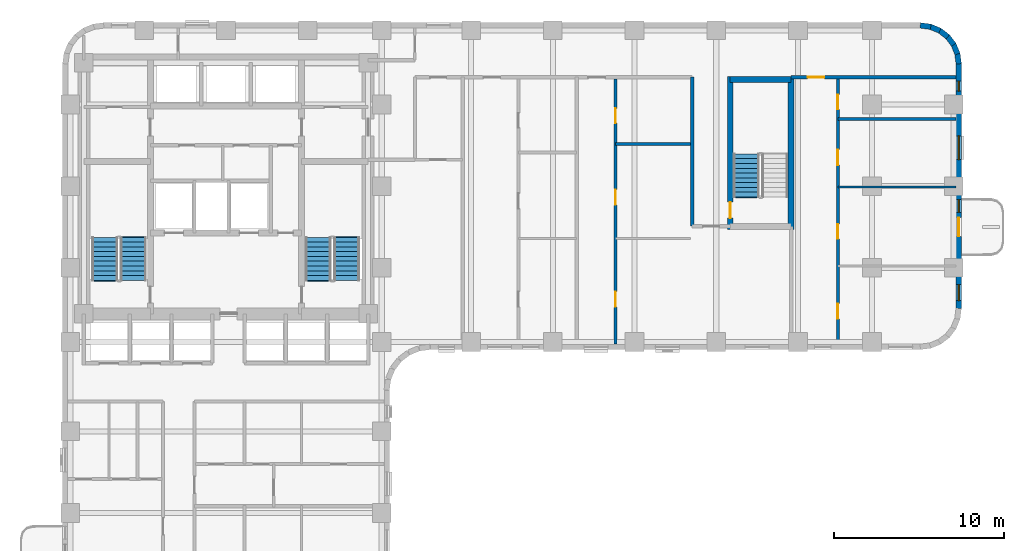
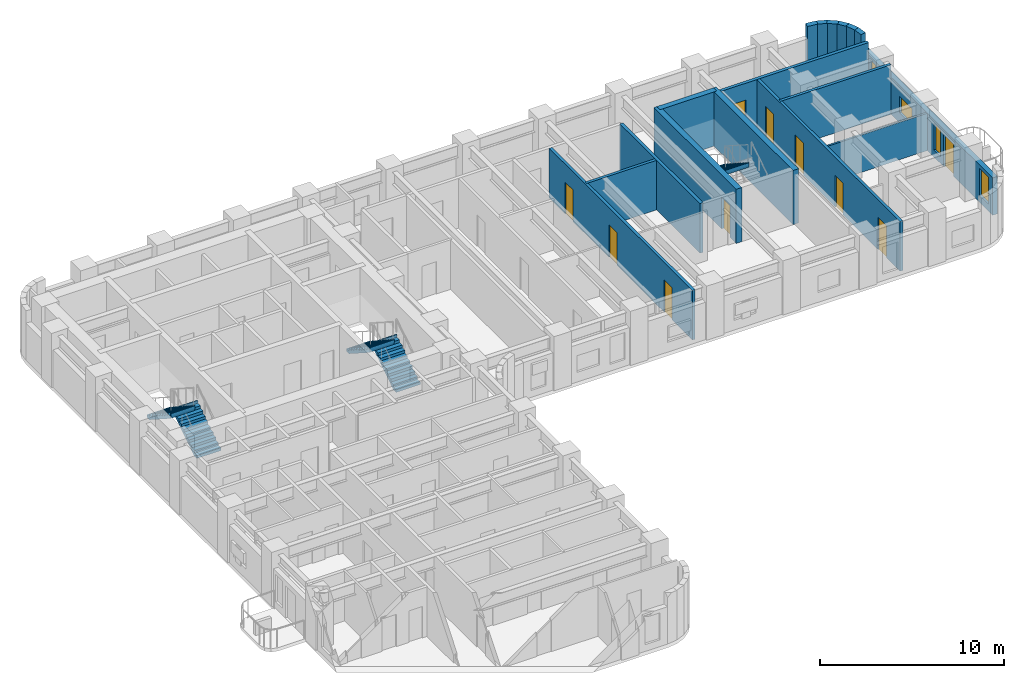
# One storey, part 7 of 11: 17 walls, 10 doors, 5 stair flights, 4 windows, 14 openings, 3 elements without a shape of their own.
"""IFC4 building model written with IfcOpenShell, lengths in metres."""

from ifc_helpers import new_model, si_unit, direction, frame, frame_2d, origin, place, context, subcontext, project, spatial, polyline, rectangle, outline, extrude, material, layer, layer_set, type_object, element, fill, aggregate, save


model = new_model("IFC4")

# Units and contexts
model_context = context("Model", 3, precision=1e-05, world=origin(), true_north=direction((0.0, 1.0)))
body_context = subcontext(model_context, "Body", "Model", "MODEL_VIEW")
ifc_project = project(units=[si_unit("LENGTHUNIT", "METRE"), si_unit("AREAUNIT", "SQUARE_METRE"), si_unit("VOLUMEUNIT", "CUBIC_METRE"), si_unit("PLANEANGLEUNIT", "RADIAN"), si_unit("MASSUNIT", "GRAM", prefix="KILO")], contexts=[model_context])

# Site, building, storey
site_placement = place(None, origin())
site = spatial("IfcSite", under=ifc_project, at=site_placement, CompositionType="ELEMENT")
building_placement = place(site_placement, origin())
building = spatial("IfcBuilding", under=site, at=building_placement, Name="Orvandelia Arch Residences", CompositionType="ELEMENT")
storey_placement = place(building_placement, frame((0.0, 0.0, 93.39990234375)))
storey = spatial("IfcBuildingStorey", under=building, at=storey_placement, Name="L24", CompositionType="ELEMENT", Elevation=93.39990234375)

# Wall, opening, door
ifc_material_1 = material(Name="Concrete C50/60", Category="concrete")
ifc_layer_1 = layer(ifc_material_1, 0.35009765625, Name="Concrete C50/60", Category="concrete")
ifc_layer_set_1 = layer_set([ifc_layer_1], Name="Concrete C50/60")
wall_type_1 = type_object("IfcWallType", Name="WL-CORE-350", PredefinedType="SHEAR", material=ifc_layer_set_1)
wall_1_placement = place(storey_placement, frame((44.02001953125, 35.864990234375, 0.0), z_axis=(0.0, 0.0, 1.0), x_axis=(0.0, 1.0, 0.0)))
wall_1 = element("IfcWall", 1, at=wall_1_placement, inside=storey, type_object=wall_type_1, Name="East Stair Core Shear Wall L24-W", PredefinedType="SHEAR", context=body_context, shape_type="SweptSolid", body=[
    extrude(rectangle(XDim=8.969970703125, YDim=0.35009765625, at=frame_2d((4.48486328125, 0.0))), origin(), (0.0, 0.0, 1.0), 3.60009765625),
])
opening_1_placement = place(wall_1_placement, frame((0.64990234375, 0.0, 0.0)))
opening_1 = element("IfcOpeningElement", 2, at=opening_1_placement, cuts=wall_1, Name="Opening D7", PredefinedType="OPENING", context=body_context, shape_type="SweptSolid", body=[
    extrude(rectangle(XDim=0.949951171875, YDim=2.10009765625, at=frame_2d((0.47509765625, 1.050048828125))), frame((0.0, 0.18505859375, 0.0), z_axis=(0.0, -1.0, 0.0), x_axis=(1.0, 0.0, 0.0)), (0.0, 0.0, 1.0), 0.3701171875),
])
ifc_material_2 = material(Name="Pressurised Stairwell Fire Door")
door_type_1 = type_object("IfcDoorType", Name="DR-STAIR-950", OperationType="NOTDEFINED", PredefinedType="DOOR", material=ifc_material_2)
door_1_placement = place(opening_1_placement, origin())
door_1 = element("IfcDoor", 3, at=door_1_placement, inside=storey, type_object=door_type_1, Name="East Stairwell ST-3 Fire Door L24", OperationType="SINGLE_SWING_LEFT", OverallHeight=2.10009765625, OverallWidth=0.949951171875, PredefinedType="DOOR", context=body_context, shape_type="SweptSolid", body=[
    extrude(rectangle(XDim=0.949951171875, YDim=2.10009765625, at=frame_2d((0.47509765625, 1.050048828125))), frame((0.0, 0.02490234375, 0.0), z_axis=(0.0, -1.0, 0.0), x_axis=(1.0, 0.0, 0.0)), (0.0, 0.0, 1.0), 0.050048828125),
])
fill(opening_1, door_1)

# Walls
wall_2_placement = place(storey_placement, frame((47.60009765625, 35.864990234375, 0.0), z_axis=(0.0, 0.0, 1.0), x_axis=(0.0, 1.0, 0.0)))
element("IfcWall", 4, at=wall_2_placement, inside=storey, type_object=wall_type_1, Name="East Stair Core Shear Wall L24-E", PredefinedType="SHEAR", context=body_context, shape_type="SweptSolid", body=[
    extrude(rectangle(XDim=8.969970703125, YDim=0.35009765625, at=frame_2d((4.48486328125, 0.0))), origin(), (0.0, 0.0, 1.0), 3.60009765625),
])
wall_3_placement = place(storey_placement, frame((44.02001953125, 44.659912109375, 0.0), z_axis=(0.0, 0.0, 1.0), x_axis=(1.0, 0.0, 0.0)))
element("IfcWall", 5, at=wall_3_placement, inside=storey, type_object=wall_type_1, Name="East Stair Core Shear Wall L24-N", PredefinedType="SHEAR", context=body_context, shape_type="SweptSolid", body=[
    extrude(rectangle(XDim=3.580078125, YDim=0.35009765625, at=frame_2d((1.7900390625, 0.0))), origin(), (0.0, 0.0, 1.0), 3.60009765625),
])

# Wall, opening, door
ifc_material_3 = material(Name="Fire-Rated Corridor Partition")
ifc_layer_2 = layer(ifc_material_3, 0.199951171875, Name="Fire-Rated Corridor Partition")
ifc_layer_set_2 = layer_set([ifc_layer_2], Name="Fire-Rated Corridor Partition")
wall_type_2 = type_object("IfcWallType", Name="WL-CORR-200", PredefinedType="PARTITIONING", material=ifc_layer_set_2)
wall_4_placement = place(storey_placement, frame((47.60009765625, 44.800048828125, 0.0), z_axis=(0.0, 0.0, 1.0), x_axis=(1.0, 0.0, 0.0)))
wall_4 = element("IfcWall", 6, at=wall_4_placement, inside=storey, type_object=wall_type_2, Name="Interior Partition Wall WL-L24-EN2-S2", PredefinedType="PARTITIONING", context=body_context, shape_type="SweptSolid", body=[
    extrude(rectangle(XDim=9.679931640625, YDim=0.199951171875, at=frame_2d((4.83984375, 0.0))), origin(), (0.0, 0.0, 1.0), 3.300048828125),
])
opening_2_placement = place(wall_4_placement, frame((0.968505859375, 0.0, 0.0)))
opening_2 = element("IfcOpeningElement", 7, at=opening_2_placement, cuts=wall_4, Name="Opening D1", PredefinedType="OPENING", context=body_context, shape_type="SweptSolid", body=[
    extrude(rectangle(XDim=0.97998046875, YDim=2.179931640625, at=frame_2d((0.489990234375, 1.08984375))), frame((0.0, 0.10986328125, 0.0), z_axis=(0.0, -1.0, 0.0), x_axis=(1.0, 0.0, 0.0)), (0.0, 0.0, 1.0), 0.219970703125),
])
ifc_material_4 = material(Name="Solid-Core Timber Acoustic Fire Door", Category="wood")
door_type_2 = type_object("IfcDoorType", Name="DR-ENT-980", OperationType="NOTDEFINED", PredefinedType="DOOR", material=ifc_material_4)
door_2_placement = place(opening_2_placement, origin())
door_2 = element("IfcDoor", 8, at=door_2_placement, inside=storey, type_object=door_type_2, Name="Unit L24-08 Entrance Door", OperationType="SINGLE_SWING_RIGHT", OverallHeight=2.179931640625, OverallWidth=0.97998046875, PredefinedType="DOOR", context=body_context, shape_type="SweptSolid", body=[
    extrude(rectangle(XDim=0.97998046875, YDim=2.179931640625, at=frame_2d((0.489990234375, 1.08984375))), frame((0.0, 0.02490234375, 0.0), z_axis=(0.0, -1.0, 0.0), x_axis=(1.0, 0.0, 0.0)), (0.0, 0.0, 1.0), 0.050048828125),
])
fill(opening_2, door_2)

# Walls
wall_5_placement = place(storey_placement, frame((41.780029296875, 36.050048828125, 0.0), z_axis=(0.0, 0.0, 1.0), x_axis=(0.0, 1.0, 0.0)))
element("IfcWall", 9, at=wall_5_placement, inside=storey, type_object=wall_type_2, Name="Interior Partition Wall WL-L24-EN2-SW", PredefinedType="PARTITIONING", context=body_context, shape_type="SweptSolid", body=[
    extrude(rectangle(XDim=8.75, YDim=0.199951171875, at=frame_2d((4.375, 0.0))), origin(), (0.0, 0.0, 1.0), 3.300048828125),
])
ifc_material_5 = material(Name="Precast concrete C40/50", Category="concrete")
ifc_layer_3 = layer(ifc_material_5, 0.320068359375, Name="Precast concrete C40/50", Category="concrete")
ifc_layer_set_3 = layer_set([ifc_layer_3], Name="Precast concrete C40/50")
wall_type_3 = type_object("IfcWallType", Name="WL-EXT-STONE-320", PredefinedType="STANDARD", material=ifc_layer_set_3)
for number, where, z_axis, x_axis, name in (
    (10, (55.17919921875, 47.84130859375, 0.0), (0.0, 0.0, 1.0), (0.9914410257, -0.130555323746, 0.0), "Coral-Limestone Precast Facade Wall L24-008"),
    (11, (55.760009765625, 47.7705078125, 0.0), (0.0, 0.0, 1.0), (0.92389335771, -0.382650053678, 0.0), "Coral-Limestone Precast Facade Wall L24-009"),
):
    element("IfcWall", number, at=place(storey_placement, frame(where, z_axis=z_axis, x_axis=x_axis)), inside=storey, type_object=wall_type_3, Name=name, PredefinedType="STANDARD", context=body_context, shape_type="SweptSolid", body=[
        extrude(rectangle(XDim=0.62646484375, YDim=0.320068359375, at=frame_2d((0.313232421875, 0.0))), origin(), (0.0, 0.0, 1.0), 3.300048828125),
    ])
wall_6_placement = place(storey_placement, frame((56.302490234375, 47.551513671875, 0.0), z_axis=(0.0, 0.0, 1.0), x_axis=(0.793549926411, -0.608505147302, 0.0)))
element("IfcWall", 12, at=wall_6_placement, inside=storey, type_object=wall_type_3, Name="Coral-Limestone Precast Facade Wall L24-010", PredefinedType="STANDARD", context=body_context, shape_type="SweptSolid", body=[
    extrude(rectangle(XDim=0.626708984375, YDim=0.320068359375, at=frame_2d((0.3134765625, 0.0))), origin(), (0.0, 0.0, 1.0), 3.300048828125),
])
for number, where, z_axis, x_axis, name in (
    (13, (56.770263671875, 47.19970703125, 0.0), (0.0, 0.0, 1.0), (0.608693302629, -0.793405610854, 0.0), "Coral-Limestone Precast Facade Wall L24-011"),
    (14, (57.130615234375, 46.73876953125, 0.0), (0.0, 0.0, 1.0), (0.382650053678, -0.92389335771, 0.0), "Coral-Limestone Precast Facade Wall L24-012"),
    (15, (57.359619140625, 46.2001953125, 0.0), (0.0, 0.0, 1.0), (0.130555323746, -0.9914410257, 0.0), "Coral-Limestone Precast Facade Wall L24-013"),
):
    element("IfcWall", number, at=place(storey_placement, frame(where, z_axis=z_axis, x_axis=x_axis)), inside=storey, type_object=wall_type_3, Name=name, PredefinedType="STANDARD", context=body_context, shape_type="SweptSolid", body=[
        extrude(rectangle(XDim=0.62646484375, YDim=0.320068359375, at=frame_2d((0.313232421875, 0.0))), origin(), (0.0, 0.0, 1.0), 3.300048828125),
    ])

# Wall, openings, door, windows
wall_7_placement = place(storey_placement, frame((57.43994140625, 45.60009765625, 0.0), z_axis=(0.0, 0.0, 1.0), x_axis=(0.0, -1.0, 0.0)))
wall_7 = element("IfcWall", 16, at=wall_7_placement, inside=storey, type_object=wall_type_3, Name="Coral-Limestone Precast Facade Wall L24-014", PredefinedType="STANDARD", context=body_context, shape_type="SweptSolid", body=[
    extrude(rectangle(XDim=14.400146484375, YDim=0.320068359375, at=frame_2d((7.2001953125, 0.0))), origin(), (0.0, 0.0, 1.0), 2.47998046875),
])
opening_3_placement = place(wall_7_placement, frame((9.050048828125, 0.0, 0.0)))
opening_3 = element("IfcOpeningElement", 17, at=opening_3_placement, cuts=wall_7, Name="Opening BD1", PredefinedType="OPENING", context=body_context, shape_type="SweptSolid", body=[
    extrude(rectangle(XDim=1.10009765625, YDim=2.14990234375, at=frame_2d((0.550048828125, 1.074951171875))), frame((0.0, 0.169921875, 0.0), z_axis=(0.0, -1.0, 0.0), x_axis=(1.0, 0.0, 0.0)), (0.0, 0.0, 1.0), 0.340087890625),
])
opening_4_placement = place(wall_7_placement, frame((12.97998046875, 0.0, 0.449951171875)))
opening_4 = element("IfcOpeningElement", 18, at=opening_4_placement, cuts=wall_7, Name="Opening W4", PredefinedType="OPENING", context=body_context, shape_type="SweptSolid", body=[
    extrude(rectangle(XDim=0.949951171875, YDim=1.800048828125, at=frame_2d((0.47509765625, 0.89990234375))), frame((0.0, 0.169921875, 0.0), z_axis=(0.0, -1.0, 0.0), x_axis=(1.0, 0.0, 0.0)), (0.0, 0.0, 1.0), 0.340087890625),
])
opening_5_placement = place(wall_7_placement, frame((1.02490234375, 0.0, 0.449951171875)))
opening_5 = element("IfcOpeningElement", 19, at=opening_5_placement, cuts=wall_7, Name="Opening W12", PredefinedType="OPENING", context=body_context, shape_type="SweptSolid", body=[
    extrude(rectangle(XDim=0.60009765625, YDim=1.800048828125, at=frame_2d((0.300048828125, 0.89990234375))), frame((0.0, 0.169921875, 0.0), z_axis=(0.0, -1.0, 0.0), x_axis=(1.0, 0.0, 0.0)), (0.0, 0.0, 1.0), 0.340087890625),
])
opening_6_placement = place(wall_7_placement, frame((4.239990234375, 0.0, 0.64990234375)))
opening_6 = element("IfcOpeningElement", 20, at=opening_6_placement, cuts=wall_7, Name="Opening W10", PredefinedType="OPENING", context=body_context, shape_type="SweptSolid", body=[
    extrude(rectangle(XDim=1.39990234375, YDim=1.10009765625, at=frame_2d((0.699951171875, 0.550048828125))), frame((0.0, 0.169921875, 0.0), z_axis=(0.0, -1.0, 0.0), x_axis=(1.0, 0.0, 0.0)), (0.0, 0.0, 1.0), 0.340087890625),
])
opening_7_placement = place(wall_7_placement, frame((7.985107421875, 0.0, 0.449951171875)))
opening_7 = element("IfcOpeningElement", 21, at=opening_7_placement, cuts=wall_7, Name="Opening W11", PredefinedType="OPENING", context=body_context, shape_type="SweptSolid", body=[
    extrude(rectangle(XDim=0.75, YDim=1.800048828125, at=frame_2d((0.375, 0.89990234375))), frame((0.0, 0.169921875, 0.0), z_axis=(0.0, -1.0, 0.0), x_axis=(1.0, 0.0, 0.0)), (0.0, 0.0, 1.0), 0.340087890625),
])
ifc_material_6 = material(Name="Thermally Broken Aluminium Glazed Door", Category="aluminium")
door_type_3 = type_object("IfcDoorType", Name="DR-BAL-GLAZ-1100", OperationType="NOTDEFINED", PredefinedType="DOOR", material=ifc_material_6)
door_3_placement = place(opening_3_placement, origin())
door_3 = element("IfcDoor", 22, at=door_3_placement, inside=storey, type_object=door_type_3, Name="Tree Balcony Glazed Door BAL-L24-E1", OperationType="SINGLE_SWING_LEFT", OverallHeight=2.14990234375, OverallWidth=1.10009765625, PredefinedType="DOOR", context=body_context, shape_type="SweptSolid", body=[
    extrude(rectangle(XDim=1.10009765625, YDim=2.14990234375, at=frame_2d((0.550048828125, 1.074951171875))), frame((0.0, 0.02490234375, 0.0), z_axis=(0.0, -1.0, 0.0), x_axis=(1.0, 0.0, 0.0)), (0.0, 0.0, 1.0), 0.050048828125),
])
fill(opening_3, door_3)
ifc_material_7 = material(Name="Tempered Low-E Insulated Glazing", Category="glass")
window_type_1 = type_object("IfcWindowType", Name="WIN-BED-0750x1800", PartitioningType="SINGLE_PANEL", PredefinedType="WINDOW", material=ifc_material_7)
window_1_placement = place(opening_7_placement, origin())
window_1 = element("IfcWindow", 23, at=window_1_placement, inside=storey, type_object=window_type_1, Name="Recessed Punched Window L24-007", OverallHeight=1.800048828125, OverallWidth=0.75, PartitioningType="SINGLE_PANEL", PredefinedType="WINDOW", context=body_context, shape_type="SweptSolid", body=[
    extrude(rectangle(XDim=0.75, YDim=1.800048828125, at=frame_2d((0.375, 0.89990234375))), frame((0.0, 0.030029296875, 0.0), z_axis=(0.0, -1.0, 0.0), x_axis=(1.0, 0.0, 0.0)), (0.0, 0.0, 1.0), 0.06005859375),
])
fill(opening_7, window_1)
window_type_2 = type_object("IfcWindowType", Name="WIN-CLR-1400x1100", PartitioningType="SINGLE_PANEL", PredefinedType="WINDOW", material=ifc_material_7)
window_2_placement = place(opening_6_placement, origin())
window_2 = element("IfcWindow", 24, at=window_2_placement, inside=storey, type_object=window_type_2, Name="Recessed Punched Window L24-006", OverallHeight=1.10009765625, OverallWidth=1.39990234375, PartitioningType="SINGLE_PANEL", PredefinedType="WINDOW", context=body_context, shape_type="SweptSolid", body=[
    extrude(rectangle(XDim=1.39990234375, YDim=1.10009765625, at=frame_2d((0.699951171875, 0.550048828125))), frame((0.0, 0.030029296875, 0.0), z_axis=(0.0, -1.0, 0.0), x_axis=(1.0, 0.0, 0.0)), (0.0, 0.0, 1.0), 0.06005859375),
])
fill(opening_6, window_2)
window_type_3 = type_object("IfcWindowType", Name="WIN-LAN-0600x1800", PartitioningType="SINGLE_PANEL", PredefinedType="WINDOW", material=ifc_material_7)
window_3_placement = place(opening_5_placement, origin())
window_3 = element("IfcWindow", 25, at=window_3_placement, inside=storey, type_object=window_type_3, Name="Recessed Punched Window L24-005", OverallHeight=1.800048828125, OverallWidth=0.60009765625, PartitioningType="SINGLE_PANEL", PredefinedType="WINDOW", context=body_context, shape_type="SweptSolid", body=[
    extrude(rectangle(XDim=0.60009765625, YDim=1.800048828125, at=frame_2d((0.300048828125, 0.89990234375))), frame((0.0, 0.030029296875, 0.0), z_axis=(0.0, -1.0, 0.0), x_axis=(1.0, 0.0, 0.0)), (0.0, 0.0, 1.0), 0.06005859375),
])
fill(opening_5, window_3)
window_type_4 = type_object("IfcWindowType", Name="WIN-RES-0950x1800", PartitioningType="SINGLE_PANEL", PredefinedType="WINDOW", material=ifc_material_7)
window_4_placement = place(opening_4_placement, origin())
window_4 = element("IfcWindow", 26, at=window_4_placement, inside=storey, type_object=window_type_4, Name="Recessed Punched Window L24-004", OverallHeight=1.800048828125, OverallWidth=0.949951171875, PartitioningType="SINGLE_PANEL", PredefinedType="WINDOW", context=body_context, shape_type="SweptSolid", body=[
    extrude(rectangle(XDim=0.949951171875, YDim=1.800048828125, at=frame_2d((0.47509765625, 0.89990234375))), frame((0.0, 0.030029296875, 0.0), z_axis=(0.0, -1.0, 0.0), x_axis=(1.0, 0.0, 0.0)), (0.0, 0.0, 1.0), 0.06005859375),
])
fill(opening_4, window_4)

# Wall
ifc_material_8 = material(Name="Lightweight Gypsum Stud Partition")
ifc_layer_4 = layer(ifc_material_8, 0.1201171875, Name="Lightweight Gypsum Stud Partition")
ifc_layer_set_4 = layer_set([ifc_layer_4], Name="Lightweight Gypsum Stud Partition")
wall_type_4 = type_object("IfcWallType", Name="WL-PART-120", PredefinedType="PARTITIONING", material=ifc_layer_set_4)
wall_8_placement = place(storey_placement, frame((50.339111328125, 38.362060546875, 0.0), z_axis=(0.0, 0.0, 1.0), x_axis=(1.0, 0.0, 0.0)))
element("IfcWall", 27, at=wall_8_placement, inside=storey, type_object=wall_type_4, Name="Interior Partition Wall WL-L24-U08-H1", PredefinedType="PARTITIONING", context=body_context, shape_type="SweptSolid", body=[
    extrude(rectangle(XDim=6.94091796875, YDim=0.1201171875, at=frame_2d((3.470458984375, 0.0))), origin(), (0.0, 0.0, 1.0), 2.47998046875),
])

# Wall, openings, doors
ifc_material_9 = material(Name="Moisture-Resistant Plumbing Wall")
ifc_layer_5 = layer(ifc_material_9, 0.179931640625, Name="Moisture-Resistant Plumbing Wall")
ifc_layer_set_5 = layer_set([ifc_layer_5], Name="Moisture-Resistant Plumbing Wall")
wall_type_5 = type_object("IfcWallType", Name="WL-WET-180", PredefinedType="PLUMBINGWALL", material=ifc_layer_set_5)
wall_9_placement = place(storey_placement, frame((37.280029296875, 29.1201171875, 0.0), z_axis=(0.0, 0.0, 1.0), x_axis=(0.0, 1.0, 0.0)))
wall_9 = element("IfcWall", 28, at=wall_9_placement, inside=storey, type_object=wall_type_5, Name="Interior Partition Wall WL-L24-U07-VT", PredefinedType="PLUMBINGWALL", context=body_context, shape_type="SweptSolid", body=[
    extrude(rectangle(XDim=15.579833984375, YDim=0.179931640625, at=frame_2d((7.7900390625, 0.0))), origin(), (0.0, 0.0, 1.0), 3.300048828125),
])
opening_8_placement = place(wall_9_placement, frame((2.1826171875, 0.0, 0.0)))
opening_8 = element("IfcOpeningElement", 29, at=opening_8_placement, cuts=wall_9, Name="Opening D3", PredefinedType="OPENING", context=body_context, shape_type="SweptSolid", body=[
    extrude(rectangle(XDim=0.89990234375, YDim=2.14990234375, at=frame_2d((0.449951171875, 1.074951171875))), frame((0.0, 0.10009765625, 0.0), z_axis=(0.0, -1.0, 0.0), x_axis=(1.0, 0.0, 0.0)), (0.0, 0.0, 1.0), 0.199951171875),
])
opening_9_placement = place(wall_9_placement, frame((8.182861328125, 0.0, 0.0)))
opening_9 = element("IfcOpeningElement", 30, at=opening_9_placement, cuts=wall_9, Name="Opening D3", PredefinedType="OPENING", context=body_context, shape_type="SweptSolid", body=[
    extrude(rectangle(XDim=0.89990234375, YDim=2.14990234375, at=frame_2d((0.449951171875, 1.074951171875))), frame((0.0, 0.10009765625, 0.0), z_axis=(0.0, -1.0, 0.0), x_axis=(1.0, 0.0, 0.0)), (0.0, 0.0, 1.0), 0.199951171875),
])
opening_10_placement = place(wall_9_placement, frame((12.984619140625, 0.0, 0.0)))
opening_10 = element("IfcOpeningElement", 31, at=opening_10_placement, cuts=wall_9, Name="Opening D4", PredefinedType="OPENING", context=body_context, shape_type="SweptSolid", body=[
    extrude(rectangle(XDim=0.860107421875, YDim=2.10009765625, at=frame_2d((0.43017578125, 1.050048828125))), frame((0.0, 0.10009765625, 0.0), z_axis=(0.0, -1.0, 0.0), x_axis=(1.0, 0.0, 0.0)), (0.0, 0.0, 1.0), 0.199951171875),
])
ifc_material_10 = material(Name="Engineered Timber Flush Door", Category="wood")
door_type_4 = type_object("IfcDoorType", Name="DR-INT-900", OperationType="NOTDEFINED", PredefinedType="DOOR", material=ifc_material_10)
door_4_placement = place(opening_8_placement, origin())
door_4 = element("IfcDoor", 32, at=door_4_placement, inside=storey, type_object=door_type_4, Name="DR-L24-U07-BD1", OperationType="SINGLE_SWING_LEFT", OverallHeight=2.14990234375, OverallWidth=0.89990234375, PredefinedType="DOOR", context=body_context, shape_type="SweptSolid", body=[
    extrude(rectangle(XDim=0.89990234375, YDim=2.14990234375, at=frame_2d((0.449951171875, 1.074951171875))), frame((0.0, 0.02490234375, 0.0), z_axis=(0.0, -1.0, 0.0), x_axis=(1.0, 0.0, 0.0)), (0.0, 0.0, 1.0), 0.050048828125),
])
fill(opening_8, door_4)
door_5_placement = place(opening_9_placement, origin())
door_5 = element("IfcDoor", 33, at=door_5_placement, inside=storey, type_object=door_type_4, Name="DR-L24-U07-KIT", OperationType="SINGLE_SWING_RIGHT", OverallHeight=2.14990234375, OverallWidth=0.89990234375, PredefinedType="DOOR", context=body_context, shape_type="SweptSolid", body=[
    extrude(rectangle(XDim=0.89990234375, YDim=2.14990234375, at=frame_2d((0.449951171875, 1.074951171875))), frame((0.0, 0.02490234375, 0.0), z_axis=(0.0, -1.0, 0.0), x_axis=(1.0, 0.0, 0.0)), (0.0, 0.0, 1.0), 0.050048828125),
])
fill(opening_9, door_5)
ifc_material_11 = material(Name="Moisture-Sealed Timber Bathroom Door", Category="wood")
door_type_5 = type_object("IfcDoorType", Name="DR-WET-900", OperationType="NOTDEFINED", PredefinedType="DOOR", material=ifc_material_11)
door_6_placement = place(opening_10_placement, origin())
door_6 = element("IfcDoor", 34, at=door_6_placement, inside=storey, type_object=door_type_5, Name="DR-L24-U07-BTH", OperationType="SINGLE_SWING_LEFT", OverallHeight=2.10009765625, OverallWidth=0.860107421875, PredefinedType="DOOR", context=body_context, shape_type="SweptSolid", body=[
    extrude(rectangle(XDim=0.860107421875, YDim=2.10009765625, at=frame_2d((0.43017578125, 1.050048828125))), frame((0.0, 0.02490234375, 0.0), z_axis=(0.0, -1.0, 0.0), x_axis=(1.0, 0.0, 0.0)), (0.0, 0.0, 1.0), 0.050048828125),
])
fill(opening_10, door_6)

# Wall
wall_10_placement = place(storey_placement, frame((37.280029296875, 40.881103515625, 0.0), z_axis=(0.0, 0.0, 1.0), x_axis=(1.0, 0.0, 0.0)))
element("IfcWall", 35, at=wall_10_placement, inside=storey, type_object=wall_type_5, Name="Interior Partition Wall WL-L24-U07-H2", PredefinedType="PLUMBINGWALL", context=body_context, shape_type="SweptSolid", body=[
    extrude(rectangle(XDim=4.39990234375, YDim=0.179931640625, at=frame_2d((2.199951171875, 0.0))), origin(), (0.0, 0.0, 1.0), 3.300048828125),
])

# Wall, openings, doors
wall_11_placement = place(storey_placement, frame((50.339111328125, 29.1201171875, 0.0), z_axis=(0.0, 0.0, 1.0), x_axis=(0.0, 1.0, 0.0)))
wall_11 = element("IfcWall", 36, at=wall_11_placement, inside=storey, type_object=wall_type_5, Name="Interior Partition Wall WL-L24-U08-VT", PredefinedType="PLUMBINGWALL", context=body_context, shape_type="SweptSolid", body=[
    extrude(rectangle(XDim=15.579833984375, YDim=0.179931640625, at=frame_2d((7.7900390625, 0.0))), origin(), (0.0, 0.0, 1.0), 3.300048828125),
])
opening_11_placement = place(wall_11_placement, frame((1.48291015625, 0.0, 0.0)))
opening_11 = element("IfcOpeningElement", 37, at=opening_11_placement, cuts=wall_11, Name="Opening D3", PredefinedType="OPENING", context=body_context, shape_type="SweptSolid", body=[
    extrude(rectangle(XDim=0.89990234375, YDim=2.14990234375, at=frame_2d((0.449951171875, 1.074951171875))), frame((0.0, 0.10009765625, 0.0), z_axis=(0.0, -1.0, 0.0), x_axis=(1.0, 0.0, 0.0)), (0.0, 0.0, 1.0), 0.199951171875),
])
opening_12_placement = place(wall_11_placement, frame((6.18896484375, 0.0, 0.0)))
opening_12 = element("IfcOpeningElement", 38, at=opening_12_placement, cuts=wall_11, Name="Opening D4", PredefinedType="OPENING", context=body_context, shape_type="SweptSolid", body=[
    extrude(rectangle(XDim=0.860107421875, YDim=2.10009765625, at=frame_2d((0.43017578125, 1.050048828125))), frame((0.0, 0.10009765625, 0.0), z_axis=(0.0, -1.0, 0.0), x_axis=(1.0, 0.0, 0.0)), (0.0, 0.0, 1.0), 0.199951171875),
])
opening_13_placement = place(wall_11_placement, frame((10.51904296875, 0.0, 0.0)))
opening_13 = element("IfcOpeningElement", 39, at=opening_13_placement, cuts=wall_11, Name="Opening D3", PredefinedType="OPENING", context=body_context, shape_type="SweptSolid", body=[
    extrude(rectangle(XDim=0.89990234375, YDim=2.14990234375, at=frame_2d((0.449951171875, 1.074951171875))), frame((0.0, 0.10009765625, 0.0), z_axis=(0.0, -1.0, 0.0), x_axis=(1.0, 0.0, 0.0)), (0.0, 0.0, 1.0), 0.199951171875),
])
opening_14_placement = place(wall_11_placement, frame((13.79248046875, 0.0, 0.0)))
opening_14 = element("IfcOpeningElement", 40, at=opening_14_placement, cuts=wall_11, Name="Opening D4", PredefinedType="OPENING", context=body_context, shape_type="SweptSolid", body=[
    extrude(rectangle(XDim=0.860107421875, YDim=2.10009765625, at=frame_2d((0.43017578125, 1.050048828125))), frame((0.0, 0.10009765625, 0.0), z_axis=(0.0, -1.0, 0.0), x_axis=(1.0, 0.0, 0.0)), (0.0, 0.0, 1.0), 0.199951171875),
])
door_7_placement = place(opening_11_placement, origin())
door_7 = element("IfcDoor", 41, at=door_7_placement, inside=storey, type_object=door_type_4, Name="DR-L24-U08-BD2", OperationType="SINGLE_SWING_LEFT", OverallHeight=2.14990234375, OverallWidth=0.89990234375, PredefinedType="DOOR", context=body_context, shape_type="SweptSolid", body=[
    extrude(rectangle(XDim=0.89990234375, YDim=2.14990234375, at=frame_2d((0.449951171875, 1.074951171875))), frame((0.0, 0.02490234375, 0.0), z_axis=(0.0, -1.0, 0.0), x_axis=(1.0, 0.0, 0.0)), (0.0, 0.0, 1.0), 0.050048828125),
])
fill(opening_11, door_7)
door_8_placement = place(opening_13_placement, origin())
door_8 = element("IfcDoor", 42, at=door_8_placement, inside=storey, type_object=door_type_4, Name="DR-L24-U08-KIT", OperationType="SINGLE_SWING_LEFT", OverallHeight=2.14990234375, OverallWidth=0.89990234375, PredefinedType="DOOR", context=body_context, shape_type="SweptSolid", body=[
    extrude(rectangle(XDim=0.89990234375, YDim=2.14990234375, at=frame_2d((0.449951171875, 1.074951171875))), frame((0.0, 0.02490234375, 0.0), z_axis=(0.0, -1.0, 0.0), x_axis=(1.0, 0.0, 0.0)), (0.0, 0.0, 1.0), 0.050048828125),
])
fill(opening_13, door_8)
door_9_placement = place(opening_12_placement, origin())
door_9 = element("IfcDoor", 43, at=door_9_placement, inside=storey, type_object=door_type_5, Name="DR-L24-U08-STDY", OperationType="SINGLE_SWING_RIGHT", OverallHeight=2.10009765625, OverallWidth=0.860107421875, PredefinedType="DOOR", context=body_context, shape_type="SweptSolid", body=[
    extrude(rectangle(XDim=0.860107421875, YDim=2.10009765625, at=frame_2d((0.43017578125, 1.050048828125))), frame((0.0, 0.02490234375, 0.0), z_axis=(0.0, -1.0, 0.0), x_axis=(1.0, 0.0, 0.0)), (0.0, 0.0, 1.0), 0.050048828125),
])
fill(opening_12, door_9)
door_10_placement = place(opening_14_placement, origin())
door_10 = element("IfcDoor", 44, at=door_10_placement, inside=storey, type_object=door_type_5, Name="DR-L24-U08-BTH", OperationType="SINGLE_SWING_RIGHT", OverallHeight=2.10009765625, OverallWidth=0.860107421875, PredefinedType="DOOR", context=body_context, shape_type="SweptSolid", body=[
    extrude(rectangle(XDim=0.860107421875, YDim=2.10009765625, at=frame_2d((0.43017578125, 1.050048828125))), frame((0.0, 0.02490234375, 0.0), z_axis=(0.0, -1.0, 0.0), x_axis=(1.0, 0.0, 0.0)), (0.0, 0.0, 1.0), 0.050048828125),
])
fill(opening_14, door_10)

# Wall
wall_12_placement = place(storey_placement, frame((50.339111328125, 42.35009765625, 0.0), z_axis=(0.0, 0.0, 1.0), x_axis=(1.0, 0.0, 0.0)))
element("IfcWall", 45, at=wall_12_placement, inside=storey, type_object=wall_type_5, Name="Interior Partition Wall WL-L24-U08-H2", PredefinedType="PLUMBINGWALL", context=body_context, shape_type="SweptSolid", body=[
    extrude(rectangle(XDim=6.94091796875, YDim=0.179931640625, at=frame_2d((3.470458984375, 0.0))), origin(), (0.0, 0.0, 1.0), 3.300048828125),
])

# Stair, stair flights
ifc_material_12 = material(Name="Concrete C40/50", Category="concrete")
stair_type = type_object("IfcStairType", Name="STAIR-RC-DOGLEG", PredefinedType="HALF_TURN_STAIR", material=ifc_material_12)
stair_1_placement = place(storey_placement, origin())
stair_1 = element("IfcStair", 46, at=stair_1_placement, inside=storey, type_object=stair_type, Name="L24 Protected Exit Stair ST-1", PredefinedType="HALF_TURN_STAIR")
stair_flight_type = type_object("IfcStairFlightType", Name="STFLT-RC-1520", PredefinedType="STRAIGHT", material=ifc_material_12)
stair_flight_1_placement = place(storey_placement, frame((8.9599609375, 32.8701171875, 0.0), z_axis=(0.0, 0.0, 1.0), x_axis=(0.0, 1.0, 0.0)))
stair_flight_1 = element("IfcStairFlight", 47, at=stair_flight_1_placement, type_object=stair_flight_type, Name="ST-1 flight 1", NumberOfRisers=10, NumberOfTreads=9, PredefinedType="STRAIGHT", RiserHeight=0.18, TreadLength=0.28, context=body_context, shape_type="SweptSolid", body=[
    extrude(outline(polyline([(0.0, 0.0), (0.0, 0.179931640625), (0.280029296875, 0.179931640625), (0.280029296875, 0.360107421875), (0.56005859375, 0.360107421875), (0.56005859375, 0.5400390625), (0.840087890625, 0.5400390625), (0.840087890625, 0.719970703125), (1.1201171875, 0.719970703125), (1.1201171875, 0.89990234375), (1.39990234375, 0.89990234375), (1.39990234375, 1.080078125), (1.679931640625, 1.080078125), (1.679931640625, 1.260009765625), (1.9599609375, 1.260009765625), (1.9599609375, 1.43994140625), (2.239990234375, 1.43994140625), (2.239990234375, 1.6201171875), (2.52001953125, 1.6201171875), (2.52001953125, 1.800048828125), (2.580078125, 1.800048828125), (2.580078125, 1.6201171875), (2.52001953125, 1.44189453125), (0.277099609375, 0.0), (0.0, 0.0)])), frame((0.0, 0.760009765625, 0.0), z_axis=(0.0, -1.0, 0.0), x_axis=(1.0, 0.0, 0.0)), (0.0, 0.0, 1.0), 1.52001953125),
])
stair_flight_2_placement = place(storey_placement, frame((7.2900390625, 35.389892578125, 1.800048828125), z_axis=(0.0, 0.0, 1.0), x_axis=(0.0, -1.0, 0.0)))
stair_flight_2 = element("IfcStairFlight", 48, at=stair_flight_2_placement, type_object=stair_flight_type, Name="ST-1 flight 2", NumberOfRisers=10, NumberOfTreads=9, PredefinedType="STRAIGHT", RiserHeight=0.18, TreadLength=0.28, context=body_context, shape_type="SweptSolid", body=[
    extrude(outline(polyline([(0.0, 0.0), (0.0, 0.179931640625), (0.280029296875, 0.179931640625), (0.280029296875, 0.360107421875), (0.56005859375, 0.360107421875), (0.56005859375, 0.5400390625), (0.840087890625, 0.5400390625), (0.840087890625, 0.719970703125), (1.1201171875, 0.719970703125), (1.1201171875, 0.89990234375), (1.39990234375, 0.89990234375), (1.39990234375, 1.080078125), (1.679931640625, 1.080078125), (1.679931640625, 1.260009765625), (1.9599609375, 1.260009765625), (1.9599609375, 1.43994140625), (2.239990234375, 1.43994140625), (2.239990234375, 1.6201171875), (2.52001953125, 1.6201171875), (2.52001953125, 1.800048828125), (2.580078125, 1.800048828125), (2.580078125, 1.6201171875), (2.52001953125, 1.44189453125), (0.277099609375, 0.0), (0.0, 0.0)])), frame((0.0, 0.760009765625, 0.0), z_axis=(0.0, -1.0, 0.0), x_axis=(1.0, 0.0, 0.0)), (0.0, 0.0, 1.0), 1.52001953125),
])
aggregate(stair_1, [stair_flight_1, stair_flight_2])

stair_2_placement = place(storey_placement, origin())
stair_2 = element("IfcStair", 49, at=stair_2_placement, inside=storey, type_object=stair_type, Name="L24 Protected Exit Stair ST-2", PredefinedType="HALF_TURN_STAIR")
stair_flight_3_placement = place(storey_placement, frame((21.489990234375, 32.8701171875, 0.0), z_axis=(0.0, 0.0, 1.0), x_axis=(0.0, 1.0, 0.0)))
stair_flight_3 = element("IfcStairFlight", 50, at=stair_flight_3_placement, type_object=stair_flight_type, Name="ST-2 flight 1", NumberOfRisers=10, NumberOfTreads=9, PredefinedType="STRAIGHT", RiserHeight=0.18, TreadLength=0.28, context=body_context, shape_type="SweptSolid", body=[
    extrude(outline(polyline([(0.0, 0.0), (0.0, 0.179931640625), (0.280029296875, 0.179931640625), (0.280029296875, 0.360107421875), (0.56005859375, 0.360107421875), (0.56005859375, 0.5400390625), (0.840087890625, 0.5400390625), (0.840087890625, 0.719970703125), (1.1201171875, 0.719970703125), (1.1201171875, 0.89990234375), (1.39990234375, 0.89990234375), (1.39990234375, 1.080078125), (1.679931640625, 1.080078125), (1.679931640625, 1.260009765625), (1.9599609375, 1.260009765625), (1.9599609375, 1.43994140625), (2.239990234375, 1.43994140625), (2.239990234375, 1.6201171875), (2.52001953125, 1.6201171875), (2.52001953125, 1.800048828125), (2.580078125, 1.800048828125), (2.580078125, 1.6201171875), (2.52001953125, 1.44189453125), (0.277099609375, 0.0), (0.0, 0.0)])), frame((0.0, 0.760009765625, 0.0), z_axis=(0.0, -1.0, 0.0), x_axis=(1.0, 0.0, 0.0)), (0.0, 0.0, 1.0), 1.52001953125),
])
stair_flight_4_placement = place(storey_placement, frame((19.820068359375, 35.389892578125, 1.800048828125), z_axis=(0.0, 0.0, 1.0), x_axis=(0.0, -1.0, 0.0)))
stair_flight_4 = element("IfcStairFlight", 51, at=stair_flight_4_placement, type_object=stair_flight_type, Name="ST-2 flight 2", NumberOfRisers=10, NumberOfTreads=9, PredefinedType="STRAIGHT", RiserHeight=0.18, TreadLength=0.28, context=body_context, shape_type="SweptSolid", body=[
    extrude(outline(polyline([(0.0, 0.0), (0.0, 0.179931640625), (0.280029296875, 0.179931640625), (0.280029296875, 0.360107421875), (0.56005859375, 0.360107421875), (0.56005859375, 0.5400390625), (0.840087890625, 0.5400390625), (0.840087890625, 0.719970703125), (1.1201171875, 0.719970703125), (1.1201171875, 0.89990234375), (1.39990234375, 0.89990234375), (1.39990234375, 1.080078125), (1.679931640625, 1.080078125), (1.679931640625, 1.260009765625), (1.9599609375, 1.260009765625), (1.9599609375, 1.43994140625), (2.239990234375, 1.43994140625), (2.239990234375, 1.6201171875), (2.52001953125, 1.6201171875), (2.52001953125, 1.800048828125), (2.580078125, 1.800048828125), (2.580078125, 1.6201171875), (2.52001953125, 1.44189453125), (0.277099609375, 0.0), (0.0, 0.0)])), frame((0.0, 0.760009765625, 0.0), z_axis=(0.0, -1.0, 0.0), x_axis=(1.0, 0.0, 0.0)), (0.0, 0.0, 1.0), 1.52001953125),
])
aggregate(stair_2, [stair_flight_3, stair_flight_4])

# Stair, stair flight
stair_3_placement = place(storey_placement, origin())
stair_3 = element("IfcStair", 52, at=stair_3_placement, inside=storey, type_object=stair_type, Name="L24 East Wing Exit Stair ST-3", PredefinedType="HALF_TURN_STAIR")
stair_flight_5_placement = place(storey_placement, frame((44.969970703125, 40.2900390625, 1.800048828125), z_axis=(0.0, 0.0, 1.0), x_axis=(0.0, -1.0, 0.0)))
stair_flight_5 = element("IfcStairFlight", 53, at=stair_flight_5_placement, type_object=stair_flight_type, Name="ST-3 flight 2", NumberOfRisers=10, NumberOfTreads=9, PredefinedType="STRAIGHT", RiserHeight=0.18, TreadLength=0.28, context=body_context, shape_type="SweptSolid", body=[
    extrude(outline(polyline([(0.0, 0.0), (0.0, 0.179931640625), (0.280029296875, 0.179931640625), (0.280029296875, 0.360107421875), (0.56005859375, 0.360107421875), (0.56005859375, 0.5400390625), (0.840087890625, 0.5400390625), (0.840087890625, 0.719970703125), (1.1201171875, 0.719970703125), (1.1201171875, 0.89990234375), (1.39990234375, 0.89990234375), (1.39990234375, 1.080078125), (1.679931640625, 1.080078125), (1.679931640625, 1.260009765625), (1.9599609375, 1.260009765625), (1.9599609375, 1.43994140625), (2.239990234375, 1.43994140625), (2.239990234375, 1.6201171875), (2.52001953125, 1.6201171875), (2.52001953125, 1.800048828125), (2.580078125, 1.800048828125), (2.580078125, 1.6201171875), (2.52001953125, 1.44189453125), (0.277099609375, 0.0), (0.0, 0.0)])), frame((0.0, 0.760009765625, 0.0), z_axis=(0.0, -1.0, 0.0), x_axis=(1.0, 0.0, 0.0)), (0.0, 0.0, 1.0), 1.52001953125),
])
aggregate(stair_3, [stair_flight_5])

save(model, "model.ifc")
